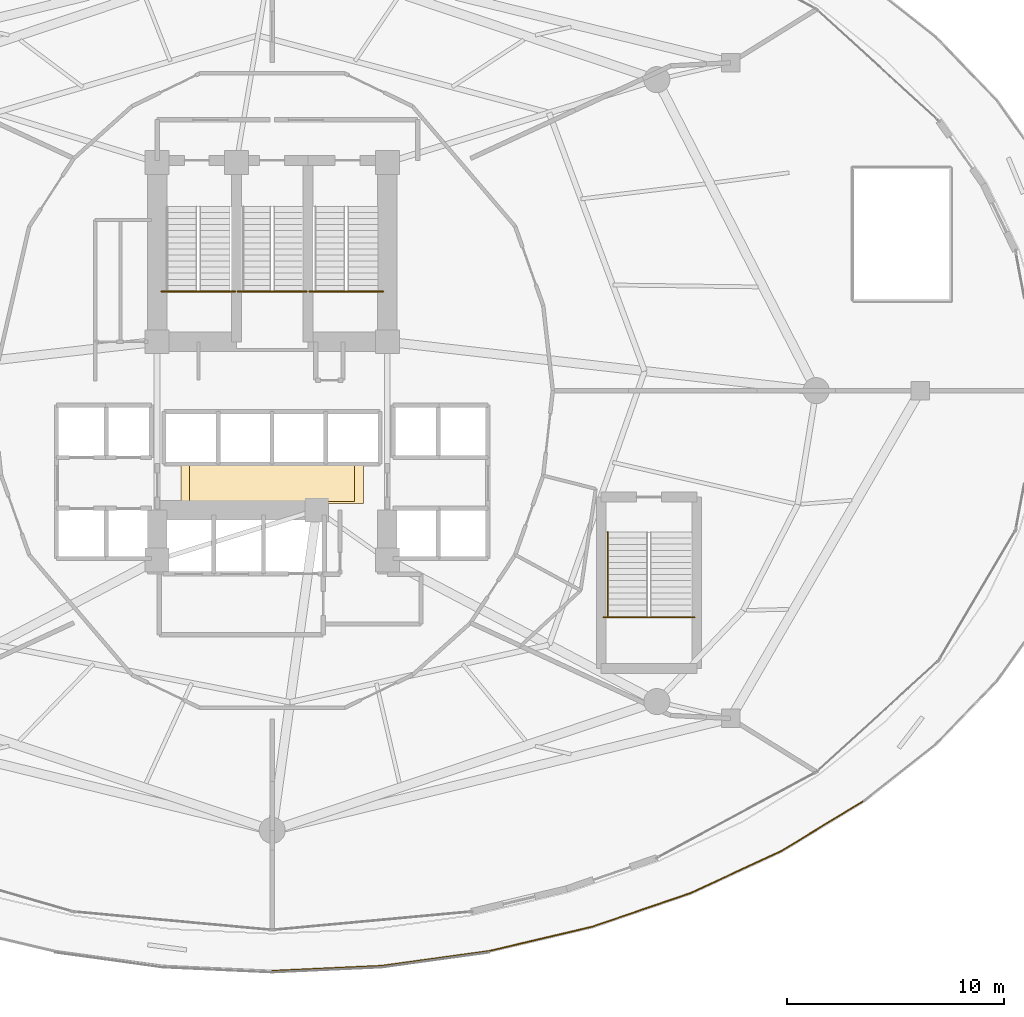
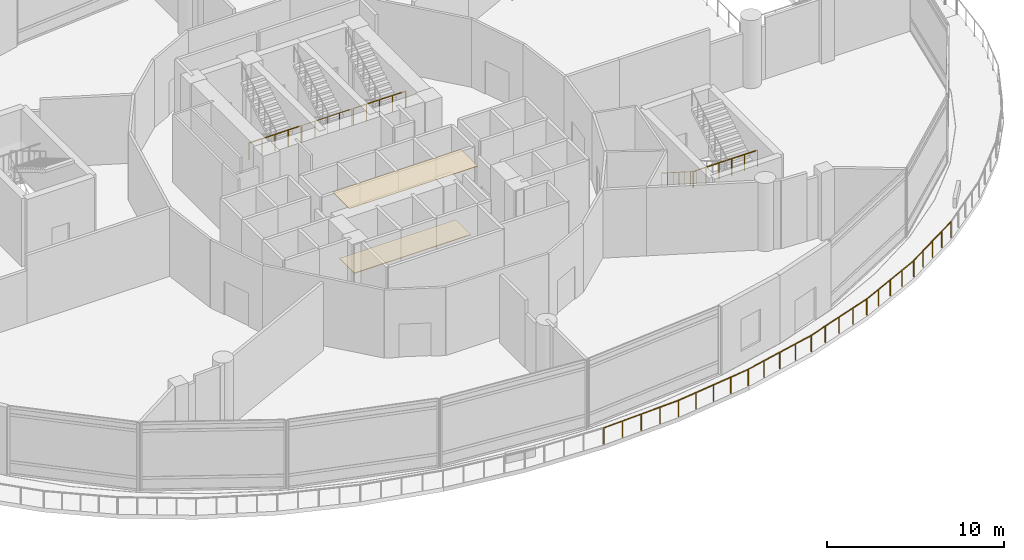
# One storey, part 32 of 36: 6 railings, 2 coverings.
"""IFC4 building model written with IfcOpenShell, lengths in metres."""

from ifc_helpers import new_model, si_unit, direction, frame, origin, place, context, subcontext, project, spatial, polyline, outline, extrude, material, layer, layer_set, type_object, element, save


model = new_model("IFC4")

# Units and contexts
model_context = context("Model", 3, precision=1e-05, world=origin(), true_north=direction((0.0, 1.0)))
body_context = subcontext(model_context, "Body", "Model", "MODEL_VIEW")
ifc_project = project(units=[si_unit("LENGTHUNIT", "METRE"), si_unit("AREAUNIT", "SQUARE_METRE"), si_unit("VOLUMEUNIT", "CUBIC_METRE"), si_unit("PLANEANGLEUNIT", "RADIAN"), si_unit("MASSUNIT", "GRAM", prefix="KILO")], contexts=[model_context])

# Site, building, storey
site_placement = place(None, origin())
site = spatial("IfcSite", under=ifc_project, at=site_placement, CompositionType="ELEMENT")
building_placement = place(site_placement, origin())
building = spatial("IfcBuilding", under=site, at=building_placement, Name="Nuhasar Tower", CompositionType="ELEMENT")
storey_placement = place(building_placement, frame((0.0, 0.0, 11.0)))
storey = spatial("IfcBuildingStorey", under=building, at=storey_placement, Name="L02", CompositionType="ELEMENT", Elevation=11.0)

# Coverings
ifc_material_1 = material(Name="Mineral Fibre Acoustic", Category="insulation")
ifc_layer_1 = layer(ifc_material_1, 0.0400390625)
ifc_layer_set_1 = layer_set([ifc_layer_1], Name="Mineral Fibre Acoustic")
covering_type_1 = type_object("IfcCoveringType", Name="COV-CEIL-AC60", PredefinedType="CEILING", material=ifc_layer_set_1)
covering_1_placement = place(storey_placement, frame((0.0, 0.0, 4.659912109375)))
element("IfcCovering", 1, at=covering_1_placement, inside=storey, type_object=covering_type_1, Name="L02 Lift Lobby Acoustic Ceiling", PredefinedType="CEILING", context=body_context, shape_type="SweptSolid", body=[
    extrude(outline(polyline([(34.800048828125, 21.60009765625), (43.199951171875, 21.60009765625), (43.199951171875, 23.5), (34.800048828125, 23.5), (34.800048828125, 21.60009765625)])), origin(), (0.0, 0.0, 1.0), 0.0400390625),
])
ifc_material_2 = material(Name="Granite Stone Tile", Category="masonry")
ifc_layer_2 = layer(ifc_material_2, 0.0400390625)
ifc_layer_set_2 = layer_set([ifc_layer_2], Name="Granite Stone Tile")
covering_type_2 = type_object("IfcCoveringType", Name="COV-FLR-STN40", PredefinedType="FLOORING", material=ifc_layer_set_2)
covering_2_placement = place(storey_placement, origin())
element("IfcCovering", 2, at=covering_2_placement, inside=storey, type_object=covering_type_2, Name="L02 Granite Lobby Flooring", PredefinedType="FLOORING", context=body_context, shape_type="SweptSolid", body=[
    extrude(outline(polyline([(35.199951171875, 21.699951171875), (42.800048828125, 21.699951171875), (42.800048828125, 23.39990234375), (35.199951171875, 23.39990234375), (35.199951171875, 21.699951171875)])), origin(), (0.0, 0.0, 1.0), 0.0400390625),
])

# Railings
ifc_material_3 = material(Name="Steel S355", Category="steel")
railing_type_1 = type_object("IfcRailingType", Name="RLG-STAIR-GUARD-1150", PredefinedType="GUARDRAIL", material=ifc_material_3)
railing_1_placement = place(storey_placement, frame((33.8798828125, 31.364990234375, 2.5)))
element("IfcRailing", 3, at=railing_1_placement, inside=storey, type_object=railing_type_1, Name="L02 Stair ST-01 Guardrail LND", PredefinedType="GUARDRAIL", context=body_context, shape_type="SweptSolid", body=[
    extrude(outline(polyline([(0.024169921875, 0.0), (0.01708984375, 0.01708984375), (0.0, 0.024169921875), (-0.01708984375, 0.01708984375), (-0.024169921875, 0.0), (-0.01708984375, -0.01708984375), (0.0, -0.024169921875), (0.01708984375, -0.01708984375), (0.024169921875, 0.0)])), frame((0.0, 0.0, 1.1259765625), z_axis=(1.0, 0.0, 0.0), x_axis=(0.0, 1.0, 0.0)), (0.0, 0.0, 1.0), 3.420166015625),
    extrude(outline(polyline([(0.02099609375, 0.0), (0.014892578125, 0.014892578125), (0.0, 0.02099609375), (-0.014892578125, 0.014892578125), (-0.02099609375, 0.0), (-0.014892578125, -0.014892578125), (0.0, -0.02099609375), (0.014892578125, -0.014892578125), (0.02099609375, 0.0)])), origin(), (0.0, 0.0, 1.0), 1.101806640625),
    extrude(outline(polyline([(0.02099609375, 0.0), (0.014892578125, 0.014892578125), (0.0, 0.02099609375), (-0.014892578125, 0.014892578125), (-0.02099609375, 0.0), (-0.014892578125, -0.014892578125), (0.0, -0.02099609375), (0.014892578125, -0.014892578125), (0.02099609375, 0.0)])), frame((0.85498046875, 0.0, 0.0)), (0.0, 0.0, 1.0), 1.101806640625),
    extrude(outline(polyline([(0.02099609375, 0.0), (0.014892578125, 0.014892578125), (0.0, 0.02099609375), (-0.014892578125, 0.014892578125), (-0.02099609375, 0.0), (-0.014892578125, -0.014892578125), (0.0, -0.02099609375), (0.014892578125, -0.014892578125), (0.02099609375, 0.0)])), frame((1.7099609375, 0.0, 0.0)), (0.0, 0.0, 1.0), 1.101806640625),
    extrude(outline(polyline([(0.02099609375, 0.0), (0.014892578125, 0.014892578125), (0.0, 0.02099609375), (-0.014892578125, 0.014892578125), (-0.02099609375, 0.0), (-0.014892578125, -0.014892578125), (0.0, -0.02099609375), (0.014892578125, -0.014892578125), (0.02099609375, 0.0)])), frame((2.565185546875, 0.0, 0.0)), (0.0, 0.0, 1.0), 1.101806640625),
    extrude(outline(polyline([(0.02099609375, 0.0), (0.014892578125, 0.014892578125), (0.0, 0.02099609375), (-0.014892578125, 0.014892578125), (-0.02099609375, 0.0), (-0.014892578125, -0.014892578125), (0.0, -0.02099609375), (0.014892578125, -0.014892578125), (0.02099609375, 0.0)])), frame((3.420166015625, 0.0, 0.0)), (0.0, 0.0, 1.0), 1.101806640625),
])
railing_2_placement = place(storey_placement, frame((37.39990234375, 31.364990234375, 2.5)))
element("IfcRailing", 4, at=railing_2_placement, inside=storey, type_object=railing_type_1, Name="L02 Stair ST-03 Guardrail LND", PredefinedType="GUARDRAIL", context=body_context, shape_type="SweptSolid", body=[
    extrude(outline(polyline([(0.024169921875, 0.0), (0.01708984375, 0.01708984375), (0.0, 0.024169921875), (-0.01708984375, 0.01708984375), (-0.024169921875, 0.0), (-0.01708984375, -0.01708984375), (0.0, -0.024169921875), (0.01708984375, -0.01708984375), (0.024169921875, 0.0)])), frame((0.0, 0.0, 1.1259765625), z_axis=(1.0, 0.0, 0.0), x_axis=(0.0, 1.0, 0.0)), (0.0, 0.0, 1.0), 3.2001953125),
    extrude(outline(polyline([(0.02099609375, 0.0), (0.014892578125, 0.014892578125), (0.0, 0.02099609375), (-0.014892578125, 0.014892578125), (-0.02099609375, 0.0), (-0.014892578125, -0.014892578125), (0.0, -0.02099609375), (0.014892578125, -0.014892578125), (0.02099609375, 0.0)])), origin(), (0.0, 0.0, 1.0), 1.101806640625),
    extrude(outline(polyline([(0.02099609375, 0.0), (0.014892578125, 0.014892578125), (0.0, 0.02099609375), (-0.014892578125, 0.014892578125), (-0.02099609375, 0.0), (-0.014892578125, -0.014892578125), (0.0, -0.02099609375), (0.014892578125, -0.014892578125), (0.02099609375, 0.0)])), frame((0.800048828125, 0.0, 0.0)), (0.0, 0.0, 1.0), 1.101806640625),
    extrude(outline(polyline([(0.02099609375, 0.0), (0.014892578125, 0.014892578125), (0.0, 0.02099609375), (-0.014892578125, 0.014892578125), (-0.02099609375, 0.0), (-0.014892578125, -0.014892578125), (0.0, -0.02099609375), (0.014892578125, -0.014892578125), (0.02099609375, 0.0)])), frame((1.60009765625, 0.0, 0.0)), (0.0, 0.0, 1.0), 1.101806640625),
    extrude(outline(polyline([(0.02099609375, 0.0), (0.014892578125, 0.014892578125), (0.0, 0.02099609375), (-0.014892578125, 0.014892578125), (-0.02099609375, 0.0), (-0.014892578125, -0.014892578125), (0.0, -0.02099609375), (0.014892578125, -0.014892578125), (0.02099609375, 0.0)])), frame((2.400146484375, 0.0, 0.0)), (0.0, 0.0, 1.0), 1.101806640625),
    extrude(outline(polyline([(0.02099609375, 0.0), (0.014892578125, 0.014892578125), (0.0, 0.02099609375), (-0.014892578125, 0.014892578125), (-0.02099609375, 0.0), (-0.014892578125, -0.014892578125), (0.0, -0.02099609375), (0.014892578125, -0.014892578125), (0.02099609375, 0.0)])), frame((3.2001953125, 0.0, 0.0)), (0.0, 0.0, 1.0), 1.101806640625),
])
railing_3_placement = place(storey_placement, frame((40.699951171875, 31.364990234375, 2.5)))
element("IfcRailing", 5, at=railing_3_placement, inside=storey, type_object=railing_type_1, Name="L02 Stair ST-02 Guardrail LND", PredefinedType="GUARDRAIL", context=body_context, shape_type="SweptSolid", body=[
    extrude(outline(polyline([(0.024169921875, 0.0), (0.01708984375, 0.01708984375), (0.0, 0.024169921875), (-0.01708984375, 0.01708984375), (-0.024169921875, 0.0), (-0.01708984375, -0.01708984375), (0.0, -0.024169921875), (0.01708984375, -0.01708984375), (0.024169921875, 0.0)])), frame((0.0, 0.0, 1.1259765625), z_axis=(1.0, 0.0, 0.0), x_axis=(0.0, 1.0, 0.0)), (0.0, 0.0, 1.0), 3.420166015625),
    extrude(outline(polyline([(0.02099609375, 0.0), (0.014892578125, 0.014892578125), (0.0, 0.02099609375), (-0.014892578125, 0.014892578125), (-0.02099609375, 0.0), (-0.014892578125, -0.014892578125), (0.0, -0.02099609375), (0.014892578125, -0.014892578125), (0.02099609375, 0.0)])), origin(), (0.0, 0.0, 1.0), 1.101806640625),
    extrude(outline(polyline([(0.02099609375, 0.0), (0.014892578125, 0.014892578125), (0.0, 0.02099609375), (-0.014892578125, 0.014892578125), (-0.02099609375, 0.0), (-0.014892578125, -0.014892578125), (0.0, -0.02099609375), (0.014892578125, -0.014892578125), (0.02099609375, 0.0)])), frame((0.85498046875, 0.0, 0.0)), (0.0, 0.0, 1.0), 1.101806640625),
    extrude(outline(polyline([(0.02099609375, 0.0), (0.014892578125, 0.014892578125), (0.0, 0.02099609375), (-0.014892578125, 0.014892578125), (-0.02099609375, 0.0), (-0.014892578125, -0.014892578125), (0.0, -0.02099609375), (0.014892578125, -0.014892578125), (0.02099609375, 0.0)])), frame((1.7099609375, 0.0, 0.0)), (0.0, 0.0, 1.0), 1.101806640625),
    extrude(outline(polyline([(0.02099609375, 0.0), (0.014892578125, 0.014892578125), (0.0, 0.02099609375), (-0.014892578125, 0.014892578125), (-0.02099609375, 0.0), (-0.014892578125, -0.014892578125), (0.0, -0.02099609375), (0.014892578125, -0.014892578125), (0.02099609375, 0.0)])), frame((2.565185546875, 0.0, 0.0)), (0.0, 0.0, 1.0), 1.101806640625),
    extrude(outline(polyline([(0.02099609375, 0.0), (0.014892578125, 0.014892578125), (0.0, 0.02099609375), (-0.014892578125, 0.014892578125), (-0.02099609375, 0.0), (-0.014892578125, -0.014892578125), (0.0, -0.02099609375), (0.014892578125, -0.014892578125), (0.02099609375, 0.0)])), frame((3.420166015625, 0.0, 0.0)), (0.0, 0.0, 1.0), 1.101806640625),
])
railing_4_placement = place(storey_placement, frame((54.25, 16.364990234375, 2.5)))
element("IfcRailing", 6, at=railing_4_placement, inside=storey, type_object=railing_type_1, Name="L02 Stair ST-05 Guardrail LND", PredefinedType="GUARDRAIL", context=body_context, shape_type="SweptSolid", body=[
    extrude(outline(polyline([(0.024169921875, 0.0), (0.01708984375, 0.01708984375), (0.0, 0.024169921875), (-0.01708984375, 0.01708984375), (-0.024169921875, 0.0), (-0.01708984375, -0.01708984375), (0.0, -0.024169921875), (0.01708984375, -0.01708984375), (0.024169921875, 0.0)])), frame((0.0, 0.0, 1.1259765625), z_axis=(1.0, 0.0, 0.0), x_axis=(0.0, 1.0, 0.0)), (0.0, 0.0, 1.0), 4.199951171875),
    extrude(outline(polyline([(0.02099609375, 0.0), (0.014892578125, 0.014892578125), (0.0, 0.02099609375), (-0.014892578125, 0.014892578125), (-0.02099609375, 0.0), (-0.014892578125, -0.014892578125), (0.0, -0.02099609375), (0.014892578125, -0.014892578125), (0.02099609375, 0.0)])), origin(), (0.0, 0.0, 1.0), 1.101806640625),
    extrude(outline(polyline([(0.02099609375, 0.0), (0.014892578125, 0.014892578125), (0.0, 0.02099609375), (-0.014892578125, 0.014892578125), (-0.02099609375, 0.0), (-0.014892578125, -0.014892578125), (0.0, -0.02099609375), (0.014892578125, -0.014892578125), (0.02099609375, 0.0)])), frame((0.840087890625, 0.0, 0.0)), (0.0, 0.0, 1.0), 1.101806640625),
    extrude(outline(polyline([(0.02099609375, 0.0), (0.014892578125, 0.014892578125), (0.0, 0.02099609375), (-0.014892578125, 0.014892578125), (-0.02099609375, 0.0), (-0.014892578125, -0.014892578125), (0.0, -0.02099609375), (0.014892578125, -0.014892578125), (0.02099609375, 0.0)])), frame((1.679931640625, 0.0, 0.0)), (0.0, 0.0, 1.0), 1.101806640625),
    extrude(outline(polyline([(0.02099609375, 0.0), (0.014892578125, 0.014892578125), (0.0, 0.02099609375), (-0.014892578125, 0.014892578125), (-0.02099609375, 0.0), (-0.014892578125, -0.014892578125), (0.0, -0.02099609375), (0.014892578125, -0.014892578125), (0.02099609375, 0.0)])), frame((2.52001953125, 0.0, 0.0)), (0.0, 0.0, 1.0), 1.101806640625),
    extrude(outline(polyline([(0.02099609375, 0.0), (0.014892578125, 0.014892578125), (0.0, 0.02099609375), (-0.014892578125, 0.014892578125), (-0.02099609375, 0.0), (-0.014892578125, -0.014892578125), (0.0, -0.02099609375), (0.014892578125, -0.014892578125), (0.02099609375, 0.0)])), frame((3.35986328125, 0.0, 0.0)), (0.0, 0.0, 1.0), 1.101806640625),
    extrude(outline(polyline([(0.02099609375, 0.0), (0.014892578125, 0.014892578125), (0.0, 0.02099609375), (-0.014892578125, 0.014892578125), (-0.02099609375, 0.0), (-0.014892578125, -0.014892578125), (0.0, -0.02099609375), (0.014892578125, -0.014892578125), (0.02099609375, 0.0)])), frame((4.199951171875, 0.0, 0.0)), (0.0, 0.0, 1.0), 1.101806640625),
])
ifc_material_4 = material(Name="Stainless Steel 316L", Category="steel")
railing_type_2 = type_object("IfcRailingType", Name="RLG-STAIR-HAND-920", PredefinedType="HANDRAIL", material=ifc_material_4)
railing_5_placement = place(storey_placement, frame((54.449951171875, 20.284912109375, 0.1669921875)))
element("IfcRailing", 7, at=railing_5_placement, inside=storey, type_object=railing_type_2, Name="L02 Stair ST-05 Handrail HND1", PredefinedType="HANDRAIL", context=body_context, shape_type="SweptSolid", body=[
    extrude(outline(polyline([(0.024169921875, 0.0), (0.01708984375, 0.01708984375), (0.0, 0.024169921875), (-0.01708984375, 0.01708984375), (-0.024169921875, 0.0), (-0.01708984375, -0.01708984375), (0.0, -0.024169921875), (0.01708984375, -0.01708984375), (0.024169921875, 0.0)])), frame((0.0, 0.0, 0.89599609375), z_axis=(0.0, -0.843124831705, 0.537717879712), x_axis=(1.0, 0.0, 0.0)), (0.0, 0.0, 1.0), 4.649169921875),
    extrude(outline(polyline([(0.02099609375, 0.0), (0.014892578125, 0.014892578125), (0.0, 0.02099609375), (-0.014892578125, 0.014892578125), (-0.02099609375, 0.0), (-0.014892578125, -0.014892578125), (0.0, -0.02099609375), (0.014892578125, -0.014892578125), (0.02099609375, 0.0)])), origin(), (0.0, 0.0, 1.0), 0.871826171875),
    extrude(outline(polyline([(0.02099609375, 0.0), (0.014892578125, 0.014892578125), (0.0, 0.02099609375), (-0.014892578125, 0.014892578125), (-0.02099609375, 0.0), (-0.014892578125, -0.014892578125), (0.0, -0.02099609375), (0.014892578125, -0.014892578125), (0.02099609375, 0.0)])), frame((0.0, -0.6533203125, 0.416748046875)), (0.0, 0.0, 1.0), 0.871826171875),
    extrude(outline(polyline([(0.02099609375, 0.0), (0.014892578125, 0.014892578125), (0.0, 0.02099609375), (-0.014892578125, 0.014892578125), (-0.02099609375, 0.0), (-0.014892578125, -0.014892578125), (0.0, -0.02099609375), (0.014892578125, -0.014892578125), (0.02099609375, 0.0)])), frame((0.0, -1.306640625, 0.833251953125)), (0.0, 0.0, 1.0), 0.871826171875),
    extrude(outline(polyline([(0.02099609375, 0.0), (0.014892578125, 0.014892578125), (0.0, 0.02099609375), (-0.014892578125, 0.014892578125), (-0.02099609375, 0.0), (-0.014892578125, -0.014892578125), (0.0, -0.02099609375), (0.014892578125, -0.014892578125), (0.02099609375, 0.0)])), frame((0.0, -1.9599609375, 1.25)), (0.0, 0.0, 1.0), 0.871826171875),
    extrude(outline(polyline([(0.02099609375, 0.0), (0.014892578125, 0.014892578125), (0.0, 0.02099609375), (-0.014892578125, 0.014892578125), (-0.02099609375, 0.0), (-0.014892578125, -0.014892578125), (0.0, -0.02099609375), (0.014892578125, -0.014892578125), (0.02099609375, 0.0)])), frame((0.0, -2.61328125, 1.666748046875)), (0.0, 0.0, 1.0), 0.871826171875),
    extrude(outline(polyline([(0.02099609375, 0.0), (0.014892578125, 0.014892578125), (0.0, 0.02099609375), (-0.014892578125, 0.014892578125), (-0.02099609375, 0.0), (-0.014892578125, -0.014892578125), (0.0, -0.02099609375), (0.014892578125, -0.014892578125), (0.02099609375, 0.0)])), frame((0.0, -3.2666015625, 2.083251953125)), (0.0, 0.0, 1.0), 0.871826171875),
    extrude(outline(polyline([(0.02099609375, 0.0), (0.014892578125, 0.014892578125), (0.0, 0.02099609375), (-0.014892578125, 0.014892578125), (-0.02099609375, 0.0), (-0.014892578125, -0.014892578125), (0.0, -0.02099609375), (0.014892578125, -0.014892578125), (0.02099609375, 0.0)])), frame((0.0, -3.919921875, 2.5)), (0.0, 0.0, 1.0), 0.871826171875),
])
railing_type_3 = type_object("IfcRailingType", Name="RLG-TERR-1150", PredefinedType="BALUSTRADE", material=ifc_material_3)
railing_6_placement = place(storey_placement, frame((39.0, 0.080078125, 0.0)))
element("IfcRailing", 8, at=railing_6_placement, inside=storey, type_object=railing_type_3, Name="L02 Bustan Terrace Perimeter Balustrade 07", PredefinedType="BALUSTRADE", context=body_context, shape_type="SweptSolid", body=[
    extrude(outline(polyline([(0.024169921875, 0.0), (0.01708984375, 0.01708984375), (0.0, 0.024169921875), (-0.01708984375, 0.01708984375), (-0.024169921875, 0.0), (-0.01708984375, -0.01708984375), (0.0, -0.024169921875), (0.01708984375, -0.01708984375), (0.024169921875, 0.0)])), frame((0.0, 0.0, 1.1259765625), z_axis=(0.998964435698, 0.04549787039, 0.0), x_axis=(-0.04549787039, 0.998964435698, 0.0)), (0.0, 0.0, 1.0), 5.033203125),
    extrude(outline(polyline([(0.024169921875, 0.0), (0.01708984375, 0.01708984375), (0.0, 0.024169921875), (-0.01708984375, 0.01708984375), (-0.024169921875, 0.0), (-0.01708984375, -0.01708984375), (0.0, -0.024169921875), (0.01708984375, -0.01708984375), (0.024169921875, 0.0)])), frame((5.028076171875, 0.22900390625, 1.1259765625), z_axis=(0.990640991668, 0.136493317151, 0.0), x_axis=(-0.136493317151, 0.990640991668, 0.0)), (0.0, 0.0, 1.0), 4.988525390625),
    extrude(outline(polyline([(0.024169921875, 0.0), (0.01708984375, 0.01708984375), (0.0, 0.024169921875), (-0.01708984375, 0.01708984375), (-0.024169921875, 0.0), (-0.01708984375, -0.01708984375), (0.0, -0.024169921875), (0.01708984375, -0.01708984375), (0.024169921875, 0.0)])), frame((9.969970703125, 0.909912109375, 1.1259765625), z_axis=(0.973351806518, 0.229316943875, 0.0), x_axis=(-0.229316943875, 0.973351806518, 0.0)), (0.0, 0.0, 1.0), 4.901611328125),
    extrude(outline(polyline([(0.024169921875, 0.0), (0.01708984375, 0.01708984375), (0.0, 0.024169921875), (-0.01708984375, 0.01708984375), (-0.024169921875, 0.0), (-0.01708984375, -0.01708984375), (0.0, -0.024169921875), (0.01708984375, -0.01708984375), (0.024169921875, 0.0)])), frame((14.740966796875, 2.033935546875, 1.1259765625), z_axis=(0.946169752463, 0.323670819697, 0.0), x_axis=(-0.323670819697, 0.946169752463, 0.0)), (0.0, 0.0, 1.0), 4.776123046875),
    extrude(outline(polyline([(0.024169921875, 0.0), (0.01708984375, 0.01708984375), (0.0, 0.024169921875), (-0.01708984375, 0.01708984375), (-0.024169921875, 0.0), (-0.01708984375, -0.01708984375), (0.0, -0.024169921875), (0.01708984375, -0.01708984375), (0.024169921875, 0.0)])), frame((19.260009765625, 3.579833984375, 1.1259765625), z_axis=(0.907235318413, 0.420623438511, 0.0), x_axis=(-0.420623438511, 0.907235318413, 0.0)), (0.0, 0.0, 1.0), 4.6171875),
    extrude(outline(polyline([(0.024169921875, 0.0), (0.01708984375, 0.01708984375), (0.0, 0.024169921875), (-0.01708984375, 0.01708984375), (-0.024169921875, 0.0), (-0.01708984375, -0.01708984375), (0.0, -0.024169921875), (0.01708984375, -0.01708984375), (0.024169921875, 0.0)])), frame((23.448974609375, 5.52197265625, 1.1259765625), z_axis=(0.854478424692, 0.519486883122, 0.0), x_axis=(-0.519486883122, 0.854478424692, 0.0)), (0.0, 0.0, 1.0), 4.39453125),
    extrude(outline(polyline([(0.02099609375, 0.0), (0.014892578125, 0.014892578125), (0.0, 0.02099609375), (-0.014892578125, 0.014892578125), (-0.02099609375, 0.0), (-0.014892578125, -0.014892578125), (0.0, -0.02099609375), (0.014892578125, -0.014892578125), (0.02099609375, 0.0)])), origin(), (0.0, 0.0, 1.0), 1.101806640625),
    extrude(outline(polyline([(0.02099609375, 0.0), (0.014892578125, 0.014892578125), (0.0, 0.02099609375), (-0.014892578125, 0.014892578125), (-0.02099609375, 0.0), (-0.014892578125, -0.014892578125), (0.0, -0.02099609375), (0.014892578125, -0.014892578125), (0.02099609375, 0.0)])), frame((1.257080078125, 0.05712890625, 0.0)), (0.0, 0.0, 1.0), 1.101806640625),
    extrude(outline(polyline([(0.02099609375, 0.0), (0.014892578125, 0.014892578125), (0.0, 0.02099609375), (-0.014892578125, 0.014892578125), (-0.02099609375, 0.0), (-0.014892578125, -0.014892578125), (0.0, -0.02099609375), (0.014892578125, -0.014892578125), (0.02099609375, 0.0)])), frame((2.51416015625, 0.114501953125, 0.0)), (0.0, 0.0, 1.0), 1.101806640625),
    extrude(outline(polyline([(0.02099609375, 0.0), (0.014892578125, 0.014892578125), (0.0, 0.02099609375), (-0.014892578125, 0.014892578125), (-0.02099609375, 0.0), (-0.014892578125, -0.014892578125), (0.0, -0.02099609375), (0.014892578125, -0.014892578125), (0.02099609375, 0.0)])), frame((3.77099609375, 0.171875, 0.0)), (0.0, 0.0, 1.0), 1.101806640625),
    extrude(outline(polyline([(0.02099609375, 0.0), (0.014892578125, 0.014892578125), (0.0, 0.02099609375), (-0.014892578125, 0.014892578125), (-0.02099609375, 0.0), (-0.014892578125, -0.014892578125), (0.0, -0.02099609375), (0.014892578125, -0.014892578125), (0.02099609375, 0.0)])), frame((5.028076171875, 0.22900390625, 0.0)), (0.0, 0.0, 1.0), 1.101806640625),
    extrude(outline(polyline([(0.02099609375, 0.0), (0.014892578125, 0.014892578125), (0.0, 0.02099609375), (-0.014892578125, 0.014892578125), (-0.02099609375, 0.0), (-0.014892578125, -0.014892578125), (0.0, -0.02099609375), (0.014892578125, -0.014892578125), (0.02099609375, 0.0)])), frame((6.263671875, 0.399169921875, 0.0)), (0.0, 0.0, 1.0), 1.101806640625),
    extrude(outline(polyline([(0.02099609375, 0.0), (0.014892578125, 0.014892578125), (0.0, 0.02099609375), (-0.014892578125, 0.014892578125), (-0.02099609375, 0.0), (-0.014892578125, -0.014892578125), (0.0, -0.02099609375), (0.014892578125, -0.014892578125), (0.02099609375, 0.0)])), frame((7.4990234375, 0.5693359375, 0.0)), (0.0, 0.0, 1.0), 1.101806640625),
    extrude(outline(polyline([(0.02099609375, 0.0), (0.014892578125, 0.014892578125), (0.0, 0.02099609375), (-0.014892578125, 0.014892578125), (-0.02099609375, 0.0), (-0.014892578125, -0.014892578125), (0.0, -0.02099609375), (0.014892578125, -0.014892578125), (0.02099609375, 0.0)])), frame((8.734375, 0.73974609375, 0.0)), (0.0, 0.0, 1.0), 1.101806640625),
    extrude(outline(polyline([(0.02099609375, 0.0), (0.014892578125, 0.014892578125), (0.0, 0.02099609375), (-0.014892578125, 0.014892578125), (-0.02099609375, 0.0), (-0.014892578125, -0.014892578125), (0.0, -0.02099609375), (0.014892578125, -0.014892578125), (0.02099609375, 0.0)])), frame((9.969970703125, 0.909912109375, 0.0)), (0.0, 0.0, 1.0), 1.101806640625),
    extrude(outline(polyline([(0.02099609375, 0.0), (0.014892578125, 0.014892578125), (0.0, 0.02099609375), (-0.014892578125, 0.014892578125), (-0.02099609375, 0.0), (-0.014892578125, -0.014892578125), (0.0, -0.02099609375), (0.014892578125, -0.014892578125), (0.02099609375, 0.0)])), frame((11.16259765625, 1.19091796875, 0.0)), (0.0, 0.0, 1.0), 1.101806640625),
    extrude(outline(polyline([(0.02099609375, 0.0), (0.014892578125, 0.014892578125), (0.0, 0.02099609375), (-0.014892578125, 0.014892578125), (-0.02099609375, 0.0), (-0.014892578125, -0.014892578125), (0.0, -0.02099609375), (0.014892578125, -0.014892578125), (0.02099609375, 0.0)])), frame((12.35546875, 1.471923828125, 0.0)), (0.0, 0.0, 1.0), 1.101806640625),
    extrude(outline(polyline([(0.02099609375, 0.0), (0.014892578125, 0.014892578125), (0.0, 0.02099609375), (-0.014892578125, 0.014892578125), (-0.02099609375, 0.0), (-0.014892578125, -0.014892578125), (0.0, -0.02099609375), (0.014892578125, -0.014892578125), (0.02099609375, 0.0)])), frame((13.54833984375, 1.7529296875, 0.0)), (0.0, 0.0, 1.0), 1.101806640625),
    extrude(outline(polyline([(0.02099609375, 0.0), (0.014892578125, 0.014892578125), (0.0, 0.02099609375), (-0.014892578125, 0.014892578125), (-0.02099609375, 0.0), (-0.014892578125, -0.014892578125), (0.0, -0.02099609375), (0.014892578125, -0.014892578125), (0.02099609375, 0.0)])), frame((14.740966796875, 2.033935546875, 0.0)), (0.0, 0.0, 1.0), 1.101806640625),
    extrude(outline(polyline([(0.02099609375, 0.0), (0.014892578125, 0.014892578125), (0.0, 0.02099609375), (-0.014892578125, 0.014892578125), (-0.02099609375, 0.0), (-0.014892578125, -0.014892578125), (0.0, -0.02099609375), (0.014892578125, -0.014892578125), (0.02099609375, 0.0)])), frame((15.87060546875, 2.42041015625, 0.0)), (0.0, 0.0, 1.0), 1.101806640625),
    extrude(outline(polyline([(0.02099609375, 0.0), (0.014892578125, 0.014892578125), (0.0, 0.02099609375), (-0.014892578125, 0.014892578125), (-0.02099609375, 0.0), (-0.014892578125, -0.014892578125), (0.0, -0.02099609375), (0.014892578125, -0.014892578125), (0.02099609375, 0.0)])), frame((17.00048828125, 2.806884765625, 0.0)), (0.0, 0.0, 1.0), 1.101806640625),
    extrude(outline(polyline([(0.02099609375, 0.0), (0.014892578125, 0.014892578125), (0.0, 0.02099609375), (-0.014892578125, 0.014892578125), (-0.02099609375, 0.0), (-0.014892578125, -0.014892578125), (0.0, -0.02099609375), (0.014892578125, -0.014892578125), (0.02099609375, 0.0)])), frame((18.13037109375, 3.193359375, 0.0)), (0.0, 0.0, 1.0), 1.101806640625),
    extrude(outline(polyline([(0.02099609375, 0.0), (0.014892578125, 0.014892578125), (0.0, 0.02099609375), (-0.014892578125, 0.014892578125), (-0.02099609375, 0.0), (-0.014892578125, -0.014892578125), (0.0, -0.02099609375), (0.014892578125, -0.014892578125), (0.02099609375, 0.0)])), frame((19.260009765625, 3.579833984375, 0.0)), (0.0, 0.0, 1.0), 1.101806640625),
    extrude(outline(polyline([(0.02099609375, 0.0), (0.014892578125, 0.014892578125), (0.0, 0.02099609375), (-0.014892578125, 0.014892578125), (-0.02099609375, 0.0), (-0.014892578125, -0.014892578125), (0.0, -0.02099609375), (0.014892578125, -0.014892578125), (0.02099609375, 0.0)])), frame((20.30712890625, 4.0654296875, 0.0)), (0.0, 0.0, 1.0), 1.101806640625),
    extrude(outline(polyline([(0.02099609375, 0.0), (0.014892578125, 0.014892578125), (0.0, 0.02099609375), (-0.014892578125, 0.014892578125), (-0.02099609375, 0.0), (-0.014892578125, -0.014892578125), (0.0, -0.02099609375), (0.014892578125, -0.014892578125), (0.02099609375, 0.0)])), frame((21.3544921875, 4.55078125, 0.0)), (0.0, 0.0, 1.0), 1.101806640625),
    extrude(outline(polyline([(0.02099609375, 0.0), (0.014892578125, 0.014892578125), (0.0, 0.02099609375), (-0.014892578125, 0.014892578125), (-0.02099609375, 0.0), (-0.014892578125, -0.014892578125), (0.0, -0.02099609375), (0.014892578125, -0.014892578125), (0.02099609375, 0.0)])), frame((22.40185546875, 5.036376953125, 0.0)), (0.0, 0.0, 1.0), 1.101806640625),
    extrude(outline(polyline([(0.02099609375, 0.0), (0.014892578125, 0.014892578125), (0.0, 0.02099609375), (-0.014892578125, 0.014892578125), (-0.02099609375, 0.0), (-0.014892578125, -0.014892578125), (0.0, -0.02099609375), (0.014892578125, -0.014892578125), (0.02099609375, 0.0)])), frame((23.448974609375, 5.52197265625, 0.0)), (0.0, 0.0, 1.0), 1.101806640625),
    extrude(outline(polyline([(0.02099609375, 0.0), (0.014892578125, 0.014892578125), (0.0, 0.02099609375), (-0.014892578125, 0.014892578125), (-0.02099609375, 0.0), (-0.014892578125, -0.014892578125), (0.0, -0.02099609375), (0.014892578125, -0.014892578125), (0.02099609375, 0.0)])), frame((24.3876953125, 6.0927734375, 0.0)), (0.0, 0.0, 1.0), 1.101806640625),
    extrude(outline(polyline([(0.02099609375, 0.0), (0.014892578125, 0.014892578125), (0.0, 0.02099609375), (-0.014892578125, 0.014892578125), (-0.02099609375, 0.0), (-0.014892578125, -0.014892578125), (0.0, -0.02099609375), (0.014892578125, -0.014892578125), (0.02099609375, 0.0)])), frame((25.32666015625, 6.66357421875, 0.0)), (0.0, 0.0, 1.0), 1.101806640625),
    extrude(outline(polyline([(0.02099609375, 0.0), (0.014892578125, 0.014892578125), (0.0, 0.02099609375), (-0.014892578125, 0.014892578125), (-0.02099609375, 0.0), (-0.014892578125, -0.014892578125), (0.0, -0.02099609375), (0.014892578125, -0.014892578125), (0.02099609375, 0.0)])), frame((26.265380859375, 7.234130859375, 0.0)), (0.0, 0.0, 1.0), 1.101806640625),
    extrude(outline(polyline([(0.02099609375, 0.0), (0.014892578125, 0.014892578125), (0.0, 0.02099609375), (-0.014892578125, 0.014892578125), (-0.02099609375, 0.0), (-0.014892578125, -0.014892578125), (0.0, -0.02099609375), (0.014892578125, -0.014892578125), (0.02099609375, 0.0)])), frame((27.2041015625, 7.804931640625, 0.0)), (0.0, 0.0, 1.0), 1.101806640625),
])

save(model, "model.ifc")
